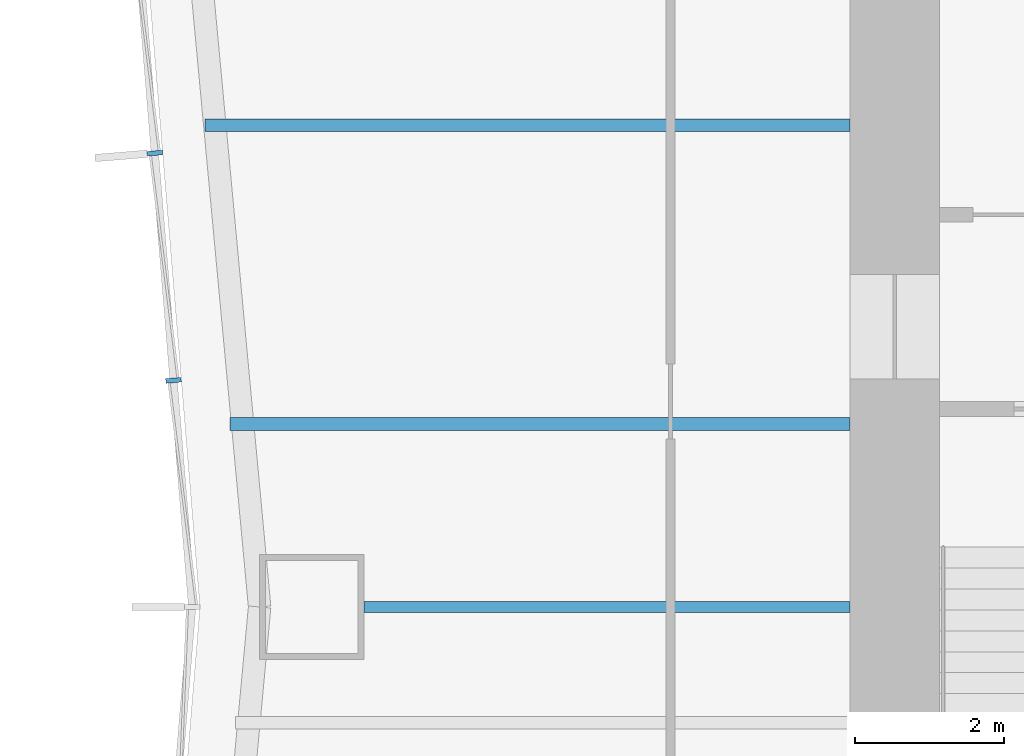
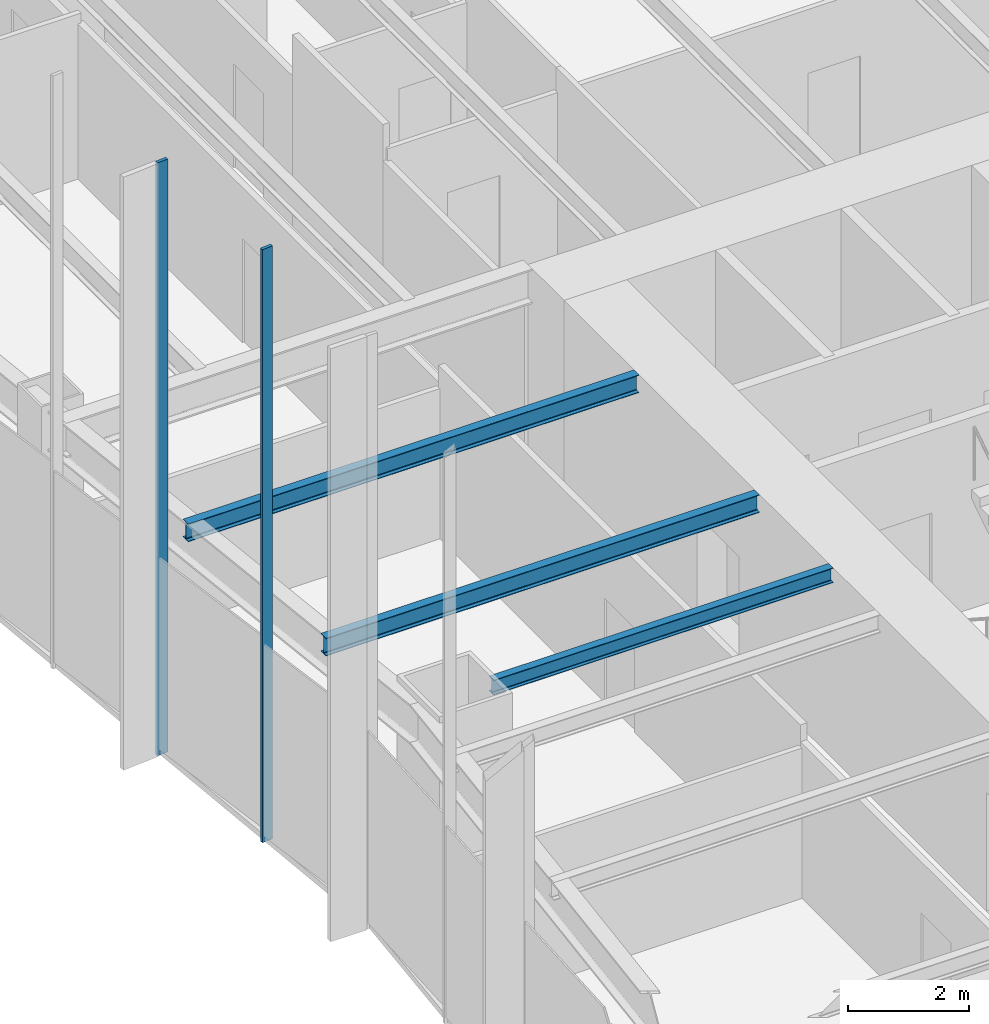
# One storey, part 3 of 13: 3 beams, 2 members, 1 element without a shape of its own.
"""IFC4 building model written with IfcOpenShell, lengths in metres."""

from ifc_helpers import new_model, si_unit, direction, frame, origin, origin_2d, place, context, subcontext, project, spatial, rectangle, i_section, extrude, material, material_profile, profile_set, type_object, element, aggregate, save


model = new_model("IFC4")

# Units and contexts
model_context = context("Model", 3, precision=1e-05, world=origin(), true_north=direction((0.0, 1.0)))
body_context = subcontext(model_context, "Body", "Model", "MODEL_VIEW")
ifc_project = project(units=[si_unit("LENGTHUNIT", "METRE"), si_unit("AREAUNIT", "SQUARE_METRE"), si_unit("VOLUMEUNIT", "CUBIC_METRE"), si_unit("PLANEANGLEUNIT", "RADIAN"), si_unit("MASSUNIT", "GRAM", prefix="KILO")], contexts=[model_context])

# Site, building, storey
site_placement = place(None, origin())
site = spatial("IfcSite", under=ifc_project, at=site_placement, CompositionType="ELEMENT")
building_placement = place(site_placement, origin())
building = spatial("IfcBuilding", under=site, at=building_placement, Name="Verdant Reach Tower", CompositionType="ELEMENT")
storey_placement = place(building_placement, frame((0.0, 0.0, 82.0)))
storey = spatial("IfcBuildingStorey", under=building, at=storey_placement, Name="L18", CompositionType="ELEMENT", Elevation=82.0)

# Curtain wall, members
ifc_material_1 = material(Name="Anodised aluminium", Category="aluminium")
curtain_wall_type = type_object("IfcCurtainWallType", Name="EN-CW SYSTEM Z1", PredefinedType="NOTDEFINED", material=ifc_material_1)
curtain_wall_placement = place(storey_placement, origin())
curtain_wall = element("IfcCurtainWall", 1, at=curtain_wall_placement, inside=storey, type_object=curtain_wall_type, Name="Curtain wall west, L18", PredefinedType="NOTDEFINED")
ifc_material_profile_1 = material_profile(ifc_material_1, rectangle(XDim=0.2060546875, YDim=0.06201171875, at=origin_2d()), Name="Mullion 62x206")
ifc_profile_set_1 = profile_set([ifc_material_profile_1], Name="Anodised aluminium")
member_type = type_object("IfcMemberType", Name="EN-MULLION Z1", PredefinedType="MULLION", material=ifc_profile_set_1)
member_1_placement = place(storey_placement, frame((-23.1025390625, 34.824951171875, -0.35009765625), z_axis=(0.0, 0.0, 1.0), x_axis=(-0.996639273542, -0.081915556724, 0.0)))
member_1 = element("IfcMember", 2, at=member_1_placement, type_object=member_type, Name="Mullion west face part 1 5, L18", PredefinedType="MULLION", context=body_context, shape_type="SweptSolid", body=[
    extrude(rectangle(XDim=0.2060546875, YDim=0.06201171875, at=origin_2d()), origin(), (0.0, 0.0, 1.0), 12.0),
])
member_2_placement = place(storey_placement, frame((-22.8525390625, 31.783203125, -0.35009765625), z_axis=(0.0, 0.0, 1.0), x_axis=(-0.996639273542, -0.081915556724, 0.0)))
member_2 = element("IfcMember", 3, at=member_2_placement, type_object=member_type, Name="Mullion west face part 1 6, L18", PredefinedType="MULLION", context=body_context, shape_type="SweptSolid", body=[
    extrude(rectangle(XDim=0.2060546875, YDim=0.06201171875, at=origin_2d()), origin(), (0.0, 0.0, 1.0), 12.0),
])
aggregate(curtain_wall, [member_1, member_2])

# Beams
ifc_material_2 = material(Name="Steel S355", Category="steel")
ifc_material_profile_2 = material_profile(ifc_material_2, i_section(OverallWidth=0.14990234375, OverallDepth=0.300048828125, WebThickness=0.007080078125, FlangeThickness=0.0107421875, FilletRadius=0.014892578125, at=origin_2d()), Name="IPE 300")
ifc_profile_set_2 = profile_set([ifc_material_profile_2], Name="Steel S355")
beam_type_1 = type_object("IfcBeamType", Name="ST-JOIST-IPE300", PredefinedType="JOIST", material=ifc_profile_set_2)
beam_1_placement = place(storey_placement, frame((-13.800048828125, 28.75, 3.719970703125), z_axis=(-1.0, 0.0, 0.0), x_axis=(0.0, -1.0, 0.0)))
element("IfcBeam", 4, at=beam_1_placement, inside=storey, type_object=beam_type_1, Name="Floor joist, L18", PredefinedType="JOIST", context=body_context, shape_type="SweptSolid", body=[
    extrude(i_section(OverallWidth=0.14990234375, OverallDepth=0.300048828125, WebThickness=0.007080078125, FlangeThickness=0.0107421875, FilletRadius=0.014892578125, at=origin_2d()), origin(), (0.0, 0.0, 1.0), 6.5),
])
ifc_material_profile_3 = material_profile(ifc_material_2, i_section(OverallWidth=0.169921875, OverallDepth=0.360107421875, WebThickness=0.008056640625, FlangeThickness=0.0126953125, FilletRadius=0.01806640625, at=origin_2d()), Name="IPE 360")
ifc_profile_set_3 = profile_set([ifc_material_profile_3], Name="Steel S355")
beam_type_2 = type_object("IfcBeamType", Name="ST-JOIST-IPE360", PredefinedType="JOIST", material=ifc_profile_set_3)
beam_2_placement = place(storey_placement, frame((-13.800048828125, 31.199951171875, 3.68994140625), z_axis=(-1.0, 0.0, 0.0), x_axis=(0.0, -1.0, 0.0)))
element("IfcBeam", 5, at=beam_2_placement, inside=storey, type_object=beam_type_2, Name="Floor joist, L18", PredefinedType="JOIST", context=body_context, shape_type="SweptSolid", body=[
    extrude(i_section(OverallWidth=0.169921875, OverallDepth=0.360107421875, WebThickness=0.008056640625, FlangeThickness=0.0126953125, FilletRadius=0.01806640625, at=origin_2d()), origin(), (0.0, 0.0, 1.0), 8.29931640625),
])
beam_3_placement = place(storey_placement, frame((-13.800048828125, 35.199951171875, 3.68994140625), z_axis=(-1.0, 0.0, 0.0), x_axis=(0.0, -1.0, 0.0)))
element("IfcBeam", 6, at=beam_3_placement, inside=storey, type_object=beam_type_2, Name="Floor joist, L18", PredefinedType="JOIST", context=body_context, shape_type="SweptSolid", body=[
    extrude(i_section(OverallWidth=0.169921875, OverallDepth=0.360107421875, WebThickness=0.008056640625, FlangeThickness=0.0126953125, FilletRadius=0.01806640625, at=origin_2d()), origin(), (0.0, 0.0, 1.0), 8.6279296875),
])

save(model, "model.ifc")
